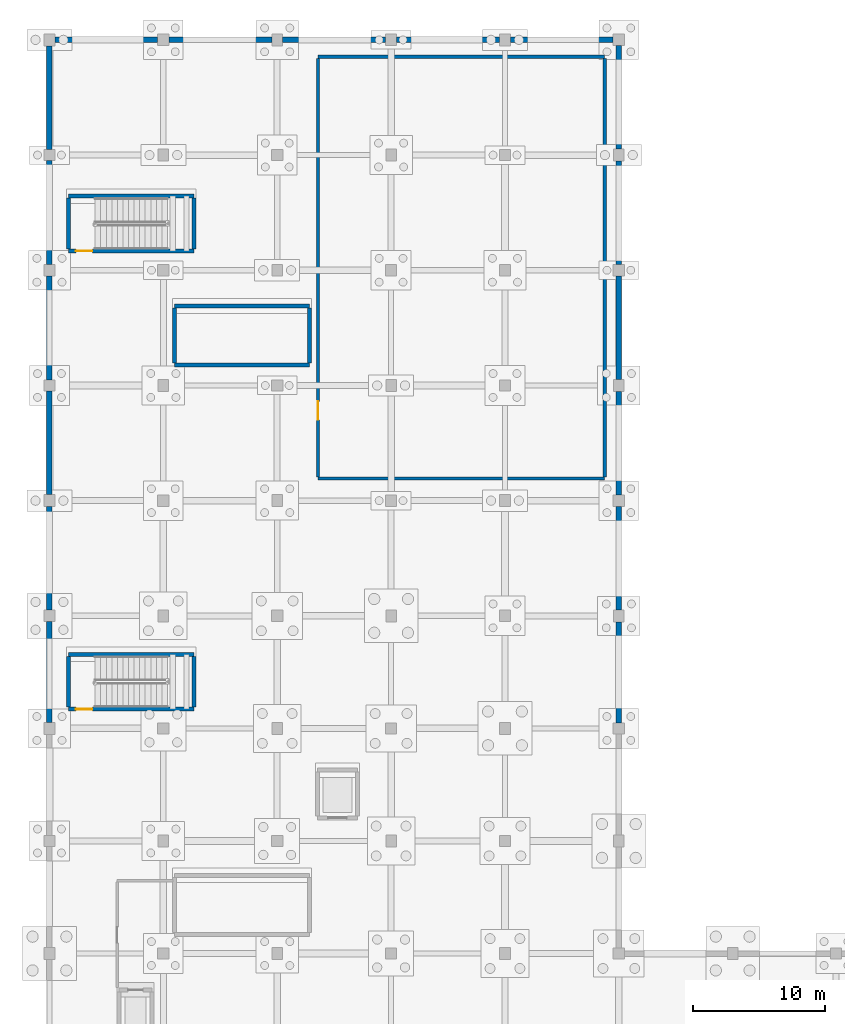
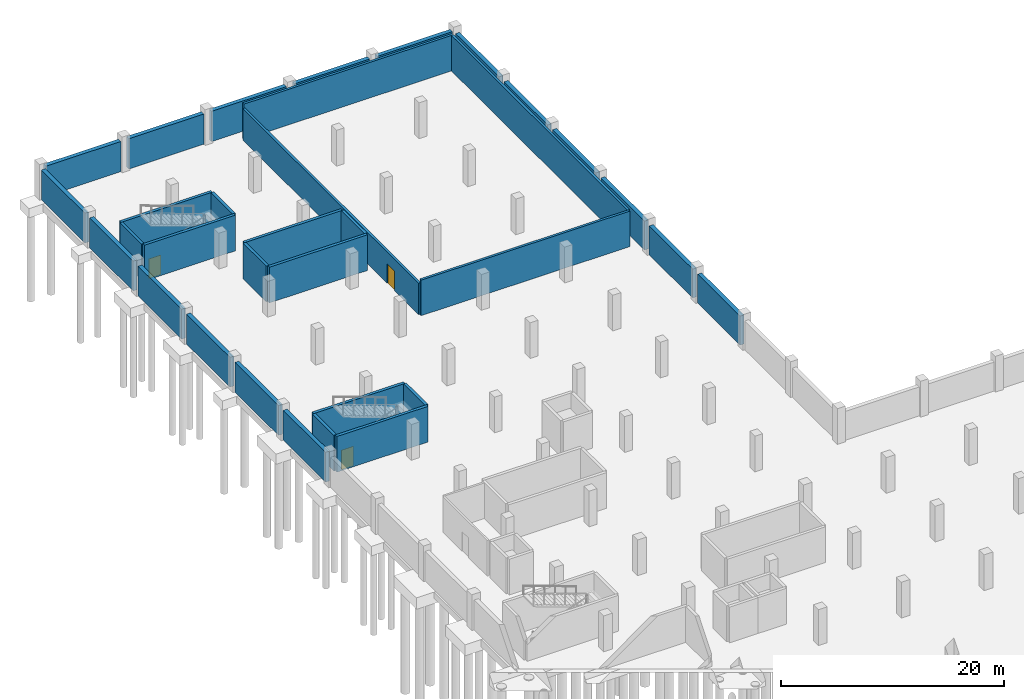
# One storey, part 17 of 28: 33 walls, 3 doors, 3 openings.
"""IFC4 building model written with IfcOpenShell, lengths in metres."""

from ifc_helpers import new_model, si_unit, direction, frame, frame_2d, origin, place, context, subcontext, project, spatial, rectangle, extrude, material, layer, layer_set, type_object, element, fill, save


model = new_model("IFC4")

# Units and contexts
model_context = context("Model", 3, precision=1e-05, world=origin(), true_north=direction((0.0, 1.0)))
body_context = subcontext(model_context, "Body", "Model", "MODEL_VIEW")
ifc_project = project(units=[si_unit("LENGTHUNIT", "METRE"), si_unit("AREAUNIT", "SQUARE_METRE"), si_unit("VOLUMEUNIT", "CUBIC_METRE"), si_unit("PLANEANGLEUNIT", "RADIAN"), si_unit("MASSUNIT", "GRAM", prefix="KILO")], contexts=[model_context])

# Site, building, storey
site_placement = place(None, origin())
site = spatial("IfcSite", under=ifc_project, at=site_placement, CompositionType="ELEMENT")
building_placement = place(site_placement, origin())
building = spatial("IfcBuilding", under=site, at=building_placement, Name="Varnakota Cinema and Media Centre", CompositionType="ELEMENT")
storey_placement = place(building_placement, frame((0.0, 0.0, -4.199951171875)))
storey = spatial("IfcBuildingStorey", under=building, at=storey_placement, Name="B1", CompositionType="ELEMENT", Elevation=-4.199951171875)

# Walls
ifc_material_1 = material(Name="Concrete M40", Category="concrete")
ifc_layer_1 = layer(ifc_material_1, 0.300048828125)
ifc_layer_set_1 = layer_set([ifc_layer_1], Name="Concrete M40")
wall_type_1 = type_object("IfcWallType", Name="W-CORE-300", PredefinedType="SHEAR", material=ifc_layer_set_1)
wall_1_placement = place(storey_placement, frame((19.6298828125, 88.449951171875, 0.0), z_axis=(0.0, 0.0, 1.0), x_axis=(-1.0, 0.0, 0.0)))
element("IfcWall", 1, at=wall_1_placement, inside=storey, type_object=wall_type_1, Name="B1 CWALL-ST-05-B1 S wall", PredefinedType="SHEAR", context=body_context, shape_type="SweptSolid", body=[
    extrude(rectangle(XDim=10.179931640625, YDim=0.300048828125, at=frame_2d((5.08984375, 0.0))), origin(), (0.0, 0.0, 1.0), 3.919921875),
])
wall_2_placement = place(storey_placement, frame((9.449951171875, 88.60009765625, 0.0), z_axis=(0.0, 0.0, 1.0), x_axis=(0.0, 1.0, 0.0)))
element("IfcWall", 2, at=wall_2_placement, inside=storey, type_object=wall_type_1, Name="B1 CWALL-ST-05-B1 W wall", PredefinedType="SHEAR", context=body_context, shape_type="SweptSolid", body=[
    extrude(rectangle(XDim=4.14990234375, YDim=0.300048828125, at=frame_2d((2.074951171875, 0.0))), origin(), (0.0, 0.0, 1.0), 3.919921875),
])
wall_3_placement = place(storey_placement, frame((9.449951171875, 92.89990234375, 0.0), z_axis=(0.0, 0.0, 1.0), x_axis=(1.0, 0.0, 0.0)))
element("IfcWall", 3, at=wall_3_placement, inside=storey, type_object=wall_type_1, Name="B1 CWALL-ST-05-B1 N wall", PredefinedType="SHEAR", context=body_context, shape_type="SweptSolid", body=[
    extrude(rectangle(XDim=10.179931640625, YDim=0.300048828125, at=frame_2d((5.08984375, 0.0))), origin(), (0.0, 0.0, 1.0), 3.919921875),
])
wall_4_placement = place(storey_placement, frame((19.6298828125, 92.75, 0.0), z_axis=(0.0, 0.0, 1.0), x_axis=(0.0, -1.0, 0.0)))
element("IfcWall", 4, at=wall_4_placement, inside=storey, type_object=wall_type_1, Name="B1 CWALL-ST-05-B1 E wall", PredefinedType="SHEAR", context=body_context, shape_type="SweptSolid", body=[
    extrude(rectangle(XDim=4.14990234375, YDim=0.300048828125, at=frame_2d((2.074951171875, 0.0))), origin(), (0.0, 0.0, 1.0), 3.919921875),
])

# Wall, opening, door
wall_5_placement = place(storey_placement, frame((10.909912109375, 62.449951171875, 0.0), z_axis=(0.0, 0.0, 1.0), x_axis=(-1.0, 0.0, 0.0)))
wall_5 = element("IfcWall", 5, at=wall_5_placement, inside=storey, type_object=wall_type_1, Name="B1 CWALL-ST-B3-B1 S wall", PredefinedType="SHEAR", context=body_context, shape_type="SweptSolid", body=[
    extrude(rectangle(XDim=9.4599609375, YDim=0.300048828125, at=frame_2d((4.72998046875, 0.0))), origin(), (0.0, 0.0, 1.0), 3.919921875),
])
opening_1_placement = place(wall_5_placement, frame((7.66748046875, 0.0, 0.0)))
opening_1 = element("IfcOpeningElement", 6, at=opening_1_placement, cuts=wall_5, Name="Opening SD-B3", PredefinedType="OPENING", context=body_context, shape_type="SweptSolid", body=[
    extrude(rectangle(XDim=1.25, YDim=2.14990234375, at=frame_2d((0.625, 1.074951171875))), frame((0.0, 0.14990234375, 0.0), z_axis=(0.0, -1.0, 0.0), x_axis=(1.0, 0.0, 0.0)), (0.0, 0.0, 1.0), 0.300048828125),
])
ifc_material_2 = material(Name="Thermally broken anodised aluminium AW-6063", Category="aluminium")
door_type_1 = type_object("IfcDoorType", Name="DR-STAIR-1250x2150", OperationType="NOTDEFINED", PredefinedType="DOOR", material=ifc_material_2)
door_1_placement = place(opening_1_placement, origin())
door_1 = element("IfcDoor", 7, at=door_1_placement, inside=storey, type_object=door_type_1, Name="B1 door SD-B3", OperationType="SINGLE_SWING_RIGHT", OverallHeight=2.14990234375, OverallWidth=1.25, PredefinedType="DOOR", context=body_context, shape_type="SweptSolid", body=[
    extrude(rectangle(XDim=1.25, YDim=2.14990234375, at=frame_2d((0.625, 1.074951171875))), frame((0.0, 0.02490234375, 0.0), z_axis=(0.0, -1.0, 0.0), x_axis=(1.0, 0.0, 0.0)), (0.0, 0.0, 1.0), 0.050048828125),
])
fill(opening_1, door_1)

# Walls
wall_6_placement = place(storey_placement, frame((1.449951171875, 62.60009765625, 0.0), z_axis=(0.0, 0.0, 1.0), x_axis=(0.0, 1.0, 0.0)))
element("IfcWall", 8, at=wall_6_placement, inside=storey, type_object=wall_type_1, Name="B1 CWALL-ST-B3-B1 W wall", PredefinedType="SHEAR", context=body_context, shape_type="SweptSolid", body=[
    extrude(rectangle(XDim=3.849853515625, YDim=0.300048828125, at=frame_2d((1.9248046875, 0.0))), origin(), (0.0, 0.0, 1.0), 3.919921875),
])
wall_7_placement = place(storey_placement, frame((1.449951171875, 66.60009765625, 0.0), z_axis=(0.0, 0.0, 1.0), x_axis=(1.0, 0.0, 0.0)))
element("IfcWall", 9, at=wall_7_placement, inside=storey, type_object=wall_type_1, Name="B1 CWALL-ST-B3-B1 N wall", PredefinedType="SHEAR", context=body_context, shape_type="SweptSolid", body=[
    extrude(rectangle(XDim=9.4599609375, YDim=0.300048828125, at=frame_2d((4.72998046875, 0.0))), origin(), (0.0, 0.0, 1.0), 3.919921875),
])
wall_8_placement = place(storey_placement, frame((10.909912109375, 66.449951171875, 0.0), z_axis=(0.0, 0.0, 1.0), x_axis=(0.0, -1.0, 0.0)))
element("IfcWall", 10, at=wall_8_placement, inside=storey, type_object=wall_type_1, Name="B1 CWALL-ST-B3-B1 E wall", PredefinedType="SHEAR", context=body_context, shape_type="SweptSolid", body=[
    extrude(rectangle(XDim=3.849853515625, YDim=0.300048828125, at=frame_2d((1.9248046875, 0.0))), origin(), (0.0, 0.0, 1.0), 3.919921875),
])

# Wall, opening, door
wall_9_placement = place(storey_placement, frame((10.909912109375, 97.050048828125, 0.0), z_axis=(0.0, 0.0, 1.0), x_axis=(-1.0, 0.0, 0.0)))
wall_9 = element("IfcWall", 11, at=wall_9_placement, inside=storey, type_object=wall_type_1, Name="B1 CWALL-ST-B4-B1 S wall", PredefinedType="SHEAR", context=body_context, shape_type="SweptSolid", body=[
    extrude(rectangle(XDim=9.4599609375, YDim=0.300048828125, at=frame_2d((4.72998046875, 0.0))), origin(), (0.0, 0.0, 1.0), 3.919921875),
])
opening_2_placement = place(wall_9_placement, frame((7.66748046875, 0.0, 0.0)))
opening_2 = element("IfcOpeningElement", 12, at=opening_2_placement, cuts=wall_9, Name="Opening SD-B4", PredefinedType="OPENING", context=body_context, shape_type="SweptSolid", body=[
    extrude(rectangle(XDim=1.25, YDim=2.14990234375, at=frame_2d((0.625, 1.074951171875))), frame((0.0, 0.14990234375, 0.0), z_axis=(0.0, -1.0, 0.0), x_axis=(1.0, 0.0, 0.0)), (0.0, 0.0, 1.0), 0.300048828125),
])
door_2_placement = place(opening_2_placement, origin())
door_2 = element("IfcDoor", 13, at=door_2_placement, inside=storey, type_object=door_type_1, Name="B1 door SD-B4", OperationType="SINGLE_SWING_RIGHT", OverallHeight=2.14990234375, OverallWidth=1.25, PredefinedType="DOOR", context=body_context, shape_type="SweptSolid", body=[
    extrude(rectangle(XDim=1.25, YDim=2.14990234375, at=frame_2d((0.625, 1.074951171875))), frame((0.0, 0.02490234375, 0.0), z_axis=(0.0, -1.0, 0.0), x_axis=(1.0, 0.0, 0.0)), (0.0, 0.0, 1.0), 0.050048828125),
])
fill(opening_2, door_2)

# Walls
wall_10_placement = place(storey_placement, frame((1.449951171875, 97.199951171875, 0.0), z_axis=(0.0, 0.0, 1.0), x_axis=(0.0, 1.0, 0.0)))
element("IfcWall", 14, at=wall_10_placement, inside=storey, type_object=wall_type_1, Name="B1 CWALL-ST-B4-B1 W wall", PredefinedType="SHEAR", context=body_context, shape_type="SweptSolid", body=[
    extrude(rectangle(XDim=3.85009765625, YDim=0.300048828125, at=frame_2d((1.925048828125, 0.0))), origin(), (0.0, 0.0, 1.0), 3.919921875),
])
wall_11_placement = place(storey_placement, frame((1.449951171875, 101.199951171875, 0.0), z_axis=(0.0, 0.0, 1.0), x_axis=(1.0, 0.0, 0.0)))
element("IfcWall", 15, at=wall_11_placement, inside=storey, type_object=wall_type_1, Name="B1 CWALL-ST-B4-B1 N wall", PredefinedType="SHEAR", context=body_context, shape_type="SweptSolid", body=[
    extrude(rectangle(XDim=9.4599609375, YDim=0.300048828125, at=frame_2d((4.72998046875, 0.0))), origin(), (0.0, 0.0, 1.0), 3.919921875),
])
wall_12_placement = place(storey_placement, frame((10.909912109375, 101.050048828125, 0.0), z_axis=(0.0, 0.0, 1.0), x_axis=(0.0, -1.0, 0.0)))
element("IfcWall", 16, at=wall_12_placement, inside=storey, type_object=wall_type_1, Name="B1 CWALL-ST-B4-B1 E wall", PredefinedType="SHEAR", context=body_context, shape_type="SweptSolid", body=[
    extrude(rectangle(XDim=3.85009765625, YDim=0.300048828125, at=frame_2d((1.925048828125, 0.0))), origin(), (0.0, 0.0, 1.0), 3.919921875),
])
ifc_material_3 = material(Name="Autoclaved aerated concrete blockwork", Category="masonry")
ifc_layer_2 = layer(ifc_material_3, 0.25)
ifc_layer_set_2 = layer_set([ifc_layer_2], Name="Autoclaved aerated concrete blockwork")
wall_type_2 = type_object("IfcWallType", Name="W-FIRE-250", PredefinedType="SOLIDWALL", material=ifc_layer_set_2)
wall_13_placement = place(storey_placement, frame((41.925048828125, 79.875, 0.0), z_axis=(0.0, 0.0, 1.0), x_axis=(-1.0, 0.0, 0.0)))
element("IfcWall", 17, at=wall_13_placement, inside=storey, type_object=wall_type_2, Name="B1 RWALL-RM-B1-STP S wall", PredefinedType="SOLIDWALL", context=body_context, shape_type="SweptSolid", body=[
    extrude(rectangle(XDim=21.650146484375, YDim=0.25, at=frame_2d((10.8251953125, 0.0))), origin(), (0.0, 0.0, 1.0), 3.89990234375),
])

# Wall, opening, door
wall_14_placement = place(storey_placement, frame((20.27490234375, 80.0, 0.0), z_axis=(0.0, 0.0, 1.0), x_axis=(0.0, 1.0, 0.0)))
wall_14 = element("IfcWall", 18, at=wall_14_placement, inside=storey, type_object=wall_type_2, Name="B1 RWALL-RM-B1-STP W wall", PredefinedType="SOLIDWALL", context=body_context, shape_type="SweptSolid", body=[
    extrude(rectangle(XDim=31.60009765625, YDim=0.25, at=frame_2d((15.800048828125, 0.0))), origin(), (0.0, 0.0, 1.0), 3.449951171875),
])
opening_3_placement = place(wall_14_placement, frame((4.300048828125, 0.0, 0.0)))
opening_3 = element("IfcOpeningElement", 19, at=opening_3_placement, cuts=wall_14, Name="Opening D-043", PredefinedType="OPENING", context=body_context, shape_type="SweptSolid", body=[
    extrude(rectangle(XDim=1.39990234375, YDim=2.14990234375, at=frame_2d((0.699951171875, 1.074951171875))), frame((0.0, 0.125, 0.0), z_axis=(0.0, -1.0, 0.0), x_axis=(1.0, 0.0, 0.0)), (0.0, 0.0, 1.0), 0.25),
])
ifc_material_4 = material(Name="Thermally broken anodised aluminium AW-6063", Category="aluminium")
door_type_2 = type_object("IfcDoorType", Name="DR-STD-1400x2150", OperationType="DOUBLE_DOOR_SINGLE_SWING", PredefinedType="DOOR", material=ifc_material_4)
door_3_placement = place(opening_3_placement, origin())
door_3 = element("IfcDoor", 20, at=door_3_placement, inside=storey, type_object=door_type_2, Name="B1 door D-043", OperationType="DOUBLE_DOOR_SINGLE_SWING", OverallHeight=2.14990234375, OverallWidth=1.39990234375, PredefinedType="DOOR", context=body_context, shape_type="SweptSolid", body=[
    extrude(rectangle(XDim=1.39990234375, YDim=2.14990234375, at=frame_2d((0.699951171875, 1.074951171875))), frame((0.0, 0.02490234375, 0.0), z_axis=(0.0, -1.0, 0.0), x_axis=(1.0, 0.0, 0.0)), (0.0, 0.0, 1.0), 0.050048828125),
])
fill(opening_3, door_3)

# Walls
wall_15_placement = place(storey_placement, frame((20.27490234375, 111.72509765625, 0.0), z_axis=(0.0, 0.0, 1.0), x_axis=(1.0, 0.0, 0.0)))
element("IfcWall", 21, at=wall_15_placement, inside=storey, type_object=wall_type_2, Name="B1 RWALL-RM-B1-STP N wall", PredefinedType="SOLIDWALL", context=body_context, shape_type="SweptSolid", body=[
    extrude(rectangle(XDim=21.650146484375, YDim=0.25, at=frame_2d((10.8251953125, 0.0))), origin(), (0.0, 0.0, 1.0), 3.89990234375),
])
wall_16_placement = place(storey_placement, frame((41.925048828125, 111.60009765625, 0.0), z_axis=(0.0, 0.0, 1.0), x_axis=(0.0, -1.0, 0.0)))
element("IfcWall", 22, at=wall_16_placement, inside=storey, type_object=wall_type_2, Name="B1 RWALL-RM-B1-STP E wall", PredefinedType="SOLIDWALL", context=body_context, shape_type="SweptSolid", body=[
    extrude(rectangle(XDim=31.60009765625, YDim=0.25, at=frame_2d((15.800048828125, 0.0))), origin(), (0.0, 0.0, 1.0), 3.89990234375),
])
ifc_material_5 = material(Name="Concrete M40", Category="concrete")
ifc_layer_3 = layer(ifc_material_5, 0.419921875)
ifc_layer_set_3 = layer_set([ifc_layer_3], Name="Concrete M40")
wall_type_3 = type_object("IfcWallType", Name="W-RET-420", PredefinedType="USERDEFINED", material=ifc_layer_set_3)
wall_17_placement = place(storey_placement, frame((0.0, 61.449951171875, 0.0), z_axis=(0.0, 0.0, 1.0), x_axis=(0.0, 1.0, 0.0)))
element("IfcWall", 23, at=wall_17_placement, inside=storey, type_object=wall_type_3, Name="B1 retaining wall B1-W-8", ObjectType="RETAINING WALL", PredefinedType="USERDEFINED", context=body_context, shape_type="SweptSolid", body=[
    extrude(rectangle(XDim=7.625, YDim=0.419921875, at=frame_2d((3.8125, 0.0))), origin(), (0.0, 0.0, 1.0), 3.27001953125),
])
wall_18_placement = place(storey_placement, frame((0.0, 69.925048828125, 0.0), z_axis=(0.0, 0.0, 1.0), x_axis=(0.0, 1.0, 0.0)))
element("IfcWall", 24, at=wall_18_placement, inside=storey, type_object=wall_type_3, Name="B1 retaining wall B1-W-9", ObjectType="RETAINING WALL", PredefinedType="USERDEFINED", context=body_context, shape_type="SweptSolid", body=[
    extrude(rectangle(XDim=7.824951171875, YDim=0.419921875, at=frame_2d((3.91259765625, 0.0))), origin(), (0.0, 0.0, 1.0), 3.27001953125),
])
wall_19_placement = place(storey_placement, frame((0.0, 78.64990234375, 0.0), z_axis=(0.0, 0.0, 1.0), x_axis=(0.0, 1.0, 0.0)))
element("IfcWall", 25, at=wall_19_placement, inside=storey, type_object=wall_type_3, Name="B1 retaining wall B1-W-10", ObjectType="RETAINING WALL", PredefinedType="USERDEFINED", context=body_context, shape_type="SweptSolid", body=[
    extrude(rectangle(XDim=7.8251953125, YDim=0.419921875, at=frame_2d((3.91259765625, 0.0))), origin(), (0.0, 0.0, 1.0), 3.27001953125),
])
for number, where, z_axis, x_axis, name in (
    (26, (0.0, 87.324951171875, 0.0), (0.0, 0.0, 1.0), (0.0, 1.0, 0.0), "B1 retaining wall B1-W-11"),
    (27, (0.0, 96.050048828125, 0.0), (0.0, 0.0, 1.0), (0.0, 1.0, 0.0), "B1 retaining wall B1-W-12"),
    (28, (0.0, 104.72509765625, 0.0), (0.0, 0.0, 1.0), (0.0, 1.0, 0.0), "B1 retaining wall B1-W-13"),
):
    element("IfcWall", number, at=place(storey_placement, frame(where, z_axis=z_axis, x_axis=x_axis)), inside=storey, type_object=wall_type_3, Name=name, ObjectType="RETAINING WALL", PredefinedType="USERDEFINED", context=body_context, shape_type="SweptSolid", body=[
        extrude(rectangle(XDim=7.824951171875, YDim=0.419921875, at=frame_2d((3.91259765625, 0.0))), origin(), (0.0, 0.0, 1.0), 3.27001953125),
    ])
for number, where, z_axis, x_axis, name in (
    (29, (0.39990234375, 113.0, 0.0), (0.0, 0.0, 1.0), (1.0, 0.0, 0.0), "B1 retaining wall B1-NW-1"),
    (30, (9.02490234375, 113.0, 0.0), (0.0, 0.0, 1.0), (1.0, 0.0, 0.0), "B1 retaining wall B1-NW-2"),
):
    element("IfcWall", number, at=place(storey_placement, frame(where, z_axis=z_axis, x_axis=x_axis)), inside=storey, type_object=wall_type_3, Name=name, ObjectType="RETAINING WALL", PredefinedType="USERDEFINED", context=body_context, shape_type="SweptSolid", body=[
        extrude(rectangle(XDim=7.775146484375, YDim=0.419921875, at=frame_2d((3.8876953125, 0.0))), origin(), (0.0, 0.0, 1.0), 3.320068359375),
    ])
for number, where, z_axis, x_axis, name in (
    (31, (17.60009765625, 113.0, 0.0), (0.0, 0.0, 1.0), (1.0, 0.0, 0.0), "B1 retaining wall B1-NW-3"),
    (32, (26.22509765625, 113.0, 0.0), (0.0, 0.0, 1.0), (1.0, 0.0, 0.0), "B1 retaining wall B1-NW-4"),
    (33, (34.800048828125, 113.0, 0.0), (0.0, 0.0, 1.0), (1.0, 0.0, 0.0), "B1 retaining wall B1-NW-5"),
):
    element("IfcWall", number, at=place(storey_placement, frame(where, z_axis=z_axis, x_axis=x_axis)), inside=storey, type_object=wall_type_3, Name=name, ObjectType="RETAINING WALL", PredefinedType="USERDEFINED", context=body_context, shape_type="SweptSolid", body=[
        extrude(rectangle(XDim=7.77490234375, YDim=0.419921875, at=frame_2d((3.887451171875, 0.0))), origin(), (0.0, 0.0, 1.0), 3.320068359375),
    ])
wall_20_placement = place(storey_placement, frame((43.0, 112.574951171875, 0.0), z_axis=(0.0, 0.0, 1.0), x_axis=(0.0, -1.0, 0.0)))
element("IfcWall", 34, at=wall_20_placement, inside=storey, type_object=wall_type_3, Name="B1 retaining wall B1-ENW-1", ObjectType="RETAINING WALL", PredefinedType="USERDEFINED", context=body_context, shape_type="SweptSolid", body=[
    extrude(rectangle(XDim=7.824951171875, YDim=0.419921875, at=frame_2d((3.91259765625, 0.0))), origin(), (0.0, 0.0, 1.0), 3.169921875),
])
wall_21_placement = place(storey_placement, frame((43.0, 103.85009765625, 0.0), z_axis=(0.0, 0.0, 1.0), x_axis=(0.0, -1.0, 0.0)))
element("IfcWall", 35, at=wall_21_placement, inside=storey, type_object=wall_type_3, Name="B1 retaining wall B1-ENW-2", ObjectType="RETAINING WALL", PredefinedType="USERDEFINED", context=body_context, shape_type="SweptSolid", body=[
    extrude(rectangle(XDim=7.8251953125, YDim=0.419921875, at=frame_2d((3.91259765625, 0.0))), origin(), (0.0, 0.0, 1.0), 3.169921875),
])
for number, where, z_axis, x_axis, name in (
    (36, (43.0, 95.175048828125, 0.0), (0.0, 0.0, 1.0), (0.0, -1.0, 0.0), "B1 retaining wall B1-ENW-3"),
    (37, (43.0, 86.449951171875, 0.0), (0.0, 0.0, 1.0), (0.0, -1.0, 0.0), "B1 retaining wall B1-ENW-4"),
    (38, (43.0, 77.77490234375, 0.0), (0.0, 0.0, 1.0), (0.0, -1.0, 0.0), "B1 retaining wall B1-ENW-5"),
):
    element("IfcWall", number, at=place(storey_placement, frame(where, z_axis=z_axis, x_axis=x_axis)), inside=storey, type_object=wall_type_3, Name=name, ObjectType="RETAINING WALL", PredefinedType="USERDEFINED", context=body_context, shape_type="SweptSolid", body=[
        extrude(rectangle(XDim=7.824951171875, YDim=0.419921875, at=frame_2d((3.91259765625, 0.0))), origin(), (0.0, 0.0, 1.0), 3.169921875),
    ])
wall_22_placement = place(storey_placement, frame((43.0, 69.050048828125, 0.0), z_axis=(0.0, 0.0, 1.0), x_axis=(0.0, -1.0, 0.0)))
element("IfcWall", 39, at=wall_22_placement, inside=storey, type_object=wall_type_3, Name="B1 retaining wall B1-ENW-6", ObjectType="RETAINING WALL", PredefinedType="USERDEFINED", context=body_context, shape_type="SweptSolid", body=[
    extrude(rectangle(XDim=7.625, YDim=0.419921875, at=frame_2d((3.8125, 0.0))), origin(), (0.0, 0.0, 1.0), 3.169921875),
])

save(model, "model.ifc")
